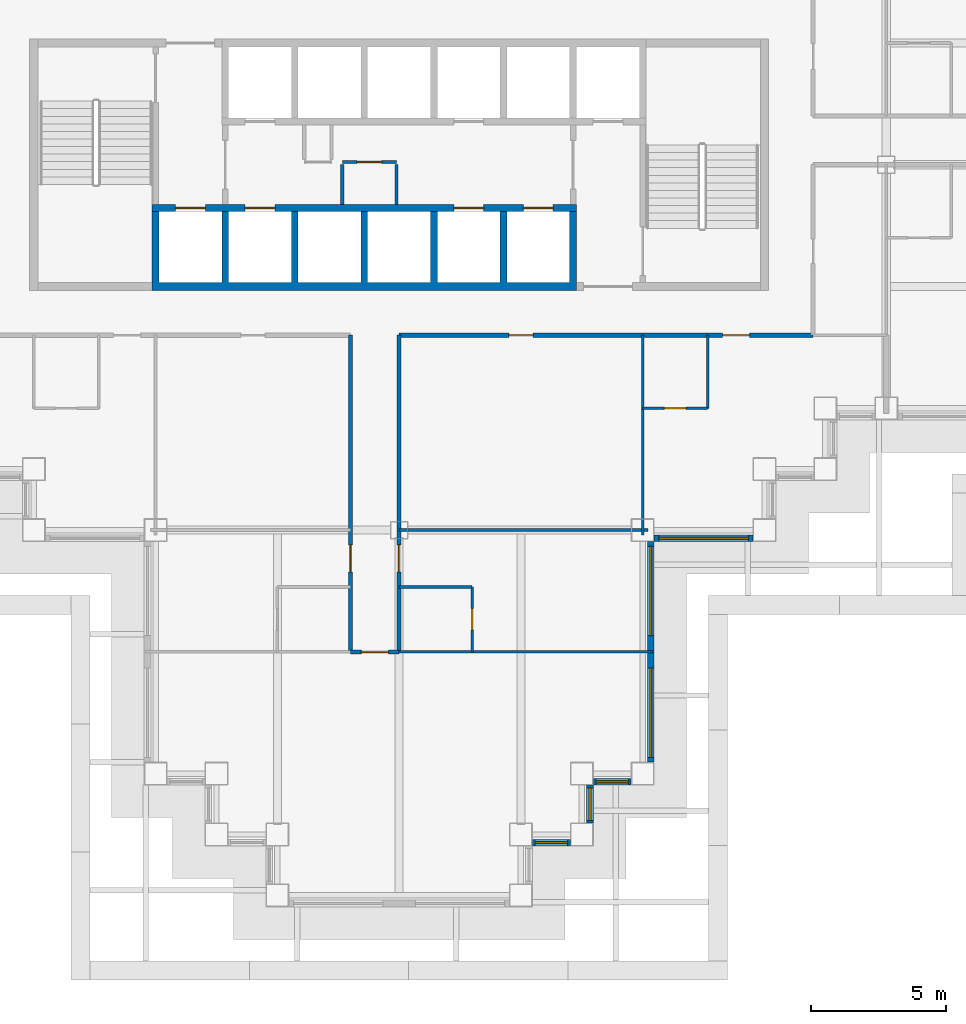
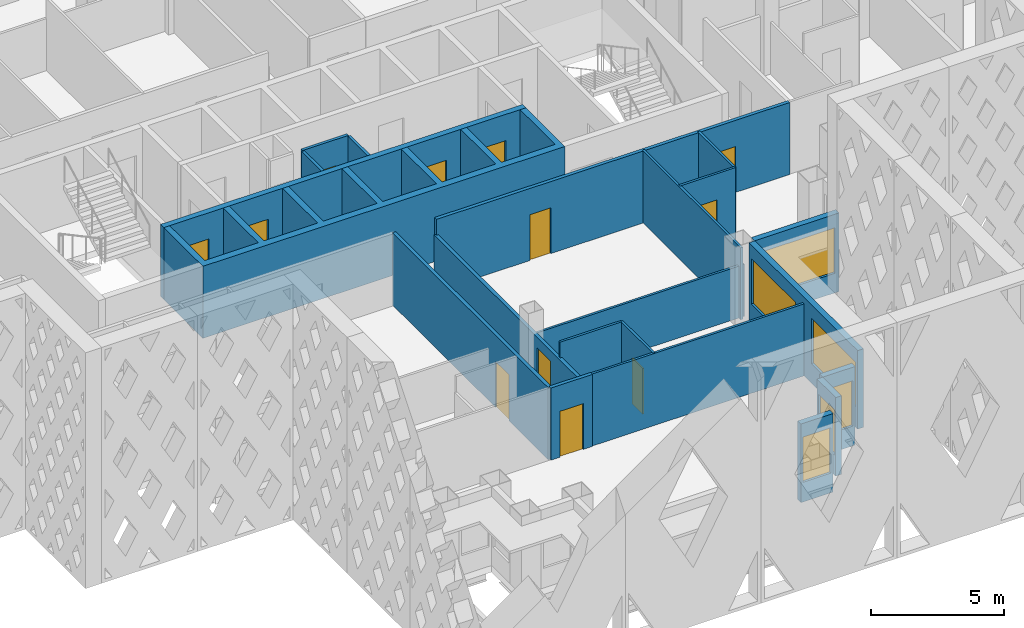
# One storey, part 6 of 21: 21 walls, 12 doors, 6 windows, 18 openings.
"""IFC4 building model written with IfcOpenShell, lengths in metres."""

from ifc_helpers import new_model, si_unit, direction, frame, frame_2d, origin, place, context, subcontext, project, spatial, polyline, rectangle, outline, extrude, material, layer, layer_set, type_object, element, fill, save


model = new_model("IFC4")

# Units and contexts
model_context = context("Model", 3, precision=1e-05, world=origin(), true_north=direction((0.0, 1.0)))
body_context = subcontext(model_context, "Body", "Model", "MODEL_VIEW")
ifc_project = project(units=[si_unit("LENGTHUNIT", "METRE"), si_unit("AREAUNIT", "SQUARE_METRE"), si_unit("VOLUMEUNIT", "CUBIC_METRE"), si_unit("PLANEANGLEUNIT", "RADIAN"), si_unit("MASSUNIT", "GRAM", prefix="KILO")], contexts=[model_context])

# Site, building, storey
site_placement = place(None, origin())
site = spatial("IfcSite", under=ifc_project, at=site_placement, CompositionType="ELEMENT")
building_placement = place(site_placement, origin())
building = spatial("IfcBuilding", under=site, at=building_placement, Name="Caravel Reach Hotel and Residences", CompositionType="ELEMENT")
storey_placement = place(building_placement, frame((0.0, 0.0, 129.60009765625)))
storey = spatial("IfcBuildingStorey", under=building, at=storey_placement, Name="L32", CompositionType="ELEMENT", Elevation=129.60009765625)

# Wall
ifc_material_1 = material(Name="Gypsum board on steel stud", Category="steel")
ifc_layer_1 = layer(ifc_material_1, 0.10009765625)
ifc_layer_set_1 = layer_set([ifc_layer_1], Name="Bathroom pod wall 100 mm")
wall_type_1 = type_object("IfcWallType", Name="Bathroom pod wall 100 mm", PredefinedType="PARTITIONING", material=ifc_layer_set_1)
wall_1_placement = place(storey_placement, frame((31.5, 11.39990234375, 0.0), z_axis=(0.0, 0.0, 1.0), x_axis=(1.0, 0.0, 0.0)))
element("IfcWall", 1, at=wall_1_placement, inside=storey, type_object=wall_type_1, Name="L32 wall w067", PredefinedType="PARTITIONING", context=body_context, shape_type="SweptSolid", body=[
    extrude(rectangle(XDim=2.699951171875, YDim=0.10009765625, at=frame_2d((1.35009765625, 0.0))), origin(), (0.0, 0.0, 1.0), 3.2998046875),
])

# Wall, opening, door
wall_2_placement = place(storey_placement, frame((40.5, 18.0, 0.0), z_axis=(0.0, 0.0, 1.0), x_axis=(1.0, 0.0, 0.0)))
wall_2 = element("IfcWall", 2, at=wall_2_placement, inside=storey, type_object=wall_type_1, Name="L32 wall w070", PredefinedType="PARTITIONING", context=body_context, shape_type="SweptSolid", body=[
    extrude(rectangle(XDim=2.39990234375, YDim=0.10009765625, at=frame_2d((1.199951171875, 0.0))), origin(), (0.0, 0.0, 1.0), 3.2998046875),
])
opening_1_placement = place(wall_2_placement, frame((0.800048828125, 0.0, 0.0)))
opening_1 = element("IfcOpeningElement", 3, at=opening_1_placement, cuts=wall_2, Name="Opening D32-049", PredefinedType="OPENING", context=body_context, shape_type="SweptSolid", body=[
    extrude(rectangle(XDim=0.800048828125, YDim=2.10009765625, at=frame_2d((0.39990234375, 1.050048828125))), frame((0.0, 0.06005859375, 0.0), z_axis=(0.0, -1.0, 0.0), x_axis=(1.0, 0.0, 0.0)), (0.0, 0.0, 1.0), 0.1201171875),
])
ifc_material_2 = material(Name="Timber and steel door leaf", Category="steel")
door_type_1 = type_object("IfcDoorType", Name="Bathroom door 800 x 2100", OperationType="SINGLE_SWING_LEFT", PredefinedType="DOOR", material=ifc_material_2)
door_1_placement = place(opening_1_placement, origin())
door_1 = element("IfcDoor", 4, at=door_1_placement, inside=storey, type_object=door_type_1, Name="door D32-049", OperationType="SINGLE_SWING_LEFT", OverallHeight=2.10009765625, OverallWidth=0.800048828125, PredefinedType="DOOR", context=body_context, shape_type="SweptSolid", body=[
    extrude(rectangle(XDim=0.800048828125, YDim=2.10009765625, at=frame_2d((0.39990234375, 1.050048828125))), frame((0.0, 0.02490234375, 0.0), z_axis=(0.0, -1.0, 0.0), x_axis=(1.0, 0.0, 0.0)), (0.0, 0.0, 1.0), 0.050048828125),
])
fill(opening_1, door_1)

wall_3_placement = place(storey_placement, frame((34.199951171875, 9.0, 0.0), z_axis=(0.0, 0.0, 1.0), x_axis=(0.0, 1.0, 0.0)))
wall_3 = element("IfcWall", 5, at=wall_3_placement, inside=storey, type_object=wall_type_1, Name="L32 wall w088", PredefinedType="PARTITIONING", context=body_context, shape_type="SweptSolid", body=[
    extrude(rectangle(XDim=2.39990234375, YDim=0.10009765625, at=frame_2d((1.199951171875, 0.0))), origin(), (0.0, 0.0, 1.0), 3.2998046875),
])
opening_2_placement = place(wall_3_placement, frame((0.800048828125, 0.0, 0.0)))
opening_2 = element("IfcOpeningElement", 6, at=opening_2_placement, cuts=wall_3, Name="Opening D32-035", PredefinedType="OPENING", context=body_context, shape_type="SweptSolid", body=[
    extrude(rectangle(XDim=0.800048828125, YDim=2.10009765625, at=frame_2d((0.39990234375, 1.050048828125))), frame((0.0, 0.06005859375, 0.0), z_axis=(0.0, -1.0, 0.0), x_axis=(1.0, 0.0, 0.0)), (0.0, 0.0, 1.0), 0.1201171875),
])
door_2_placement = place(opening_2_placement, origin())
door_2 = element("IfcDoor", 7, at=door_2_placement, inside=storey, type_object=door_type_1, Name="door D32-035", OperationType="SINGLE_SWING_LEFT", OverallHeight=2.10009765625, OverallWidth=0.800048828125, PredefinedType="DOOR", context=body_context, shape_type="SweptSolid", body=[
    extrude(rectangle(XDim=0.800048828125, YDim=2.10009765625, at=frame_2d((0.39990234375, 1.050048828125))), frame((0.0, 0.02490234375, 0.0), z_axis=(0.0, -1.0, 0.0), x_axis=(1.0, 0.0, 0.0)), (0.0, 0.0, 1.0), 0.050048828125),
])
fill(opening_2, door_2)

# Wall
wall_4_placement = place(storey_placement, frame((42.89990234375, 18.0, 0.0), z_axis=(0.0, 0.0, 1.0), x_axis=(0.0, 1.0, 0.0)))
element("IfcWall", 8, at=wall_4_placement, inside=storey, type_object=wall_type_1, Name="L32 wall w091", PredefinedType="PARTITIONING", context=body_context, shape_type="SweptSolid", body=[
    extrude(rectangle(XDim=2.699951171875, YDim=0.10009765625, at=frame_2d((1.35009765625, 0.0))), origin(), (0.0, 0.0, 1.0), 3.2998046875),
])

# Wall, openings, doors
ifc_material_3 = material(Name="Gypsum board on steel stud, fire-rated", Category="steel")
ifc_layer_2 = layer(ifc_material_3, 0.14990234375)
ifc_layer_set_2 = layer_set([ifc_layer_2], Name="Corridor wall 150 mm EI 60")
wall_type_2 = type_object("IfcWallType", Name="Corridor wall 150 mm EI 60", PredefinedType="PARTITIONING", material=ifc_layer_set_2)
wall_5_placement = place(storey_placement, frame((31.5, 20.699951171875, 0.0), z_axis=(0.0, 0.0, 1.0), x_axis=(1.0, 0.0, 0.0)))
wall_5 = element("IfcWall", 9, at=wall_5_placement, inside=storey, type_object=wall_type_2, Name="L32 wall w004", PredefinedType="PARTITIONING", context=body_context, shape_type="SweptSolid", body=[
    extrude(rectangle(XDim=15.300048828125, YDim=0.14990234375, at=frame_2d((7.64990234375, 0.0))), origin(), (0.0, 0.0, 1.0), 3.2998046875),
])
opening_3_placement = place(wall_5_placement, frame((11.949951171875, 0.0, 0.0)))
opening_3 = element("IfcOpeningElement", 10, at=opening_3_placement, cuts=wall_5, Name="Opening D32-048", PredefinedType="OPENING", context=body_context, shape_type="SweptSolid", body=[
    extrude(rectangle(XDim=1.0, YDim=2.10009765625, at=frame_2d((0.5, 1.050048828125))), frame((0.0, 0.0849609375, 0.0), z_axis=(0.0, -1.0, 0.0), x_axis=(1.0, 0.0, 0.0)), (0.0, 0.0, 1.0), 0.169921875),
])
opening_4_placement = place(wall_5_placement, frame((4.050048828125, 0.0, 0.0)))
opening_4 = element("IfcOpeningElement", 11, at=opening_4_placement, cuts=wall_5, Name="Opening D32-055", PredefinedType="OPENING", context=body_context, shape_type="SweptSolid", body=[
    extrude(rectangle(XDim=0.89990234375, YDim=2.10009765625, at=frame_2d((0.449951171875, 1.050048828125))), frame((0.0, 0.0849609375, 0.0), z_axis=(0.0, -1.0, 0.0), x_axis=(1.0, 0.0, 0.0)), (0.0, 0.0, 1.0), 0.169921875),
])
ifc_material_4 = material(Name="Timber and steel door leaf", Category="steel")
door_type_2 = type_object("IfcDoorType", Name="Door 900 x 2100 timber", OperationType="SINGLE_SWING_LEFT", PredefinedType="DOOR", material=ifc_material_4)
door_3_placement = place(opening_4_placement, origin())
door_3 = element("IfcDoor", 12, at=door_3_placement, inside=storey, type_object=door_type_2, Name="door D32-055", OperationType="SINGLE_SWING_LEFT", OverallHeight=2.10009765625, OverallWidth=0.89990234375, PredefinedType="DOOR", context=body_context, shape_type="SweptSolid", body=[
    extrude(rectangle(XDim=0.89990234375, YDim=2.10009765625, at=frame_2d((0.449951171875, 1.050048828125))), frame((0.0, 0.02490234375, 0.0), z_axis=(0.0, -1.0, 0.0), x_axis=(1.0, 0.0, 0.0)), (0.0, 0.0, 1.0), 0.050048828125),
])
fill(opening_4, door_3)
ifc_material_5 = material(Name="Steel fire door leaf", Category="steel")
door_type_3 = type_object("IfcDoorType", Name="Guest room door 1000 x 2100 EI 30", OperationType="SINGLE_SWING_LEFT", PredefinedType="DOOR", material=ifc_material_5)
door_4_placement = place(opening_3_placement, origin())
door_4 = element("IfcDoor", 13, at=door_4_placement, inside=storey, type_object=door_type_3, Name="door D32-048", OperationType="SINGLE_SWING_RIGHT", OverallHeight=2.10009765625, OverallWidth=1.0, PredefinedType="DOOR", context=body_context, shape_type="SweptSolid", body=[
    extrude(rectangle(XDim=1.0, YDim=2.10009765625, at=frame_2d((0.5, 1.050048828125))), frame((0.0, 0.02490234375, 0.0), z_axis=(0.0, -1.0, 0.0), x_axis=(1.0, 0.0, 0.0)), (0.0, 0.0, 1.0), 0.050048828125),
])
fill(opening_3, door_4)

# Wall, opening, door
wall_6_placement = place(storey_placement, frame((29.699951171875, 9.0, 0.0), z_axis=(0.0, 0.0, 1.0), x_axis=(1.0, 0.0, 0.0)))
wall_6 = element("IfcWall", 14, at=wall_6_placement, inside=storey, type_object=wall_type_2, Name="L32 wall w022", PredefinedType="PARTITIONING", context=body_context, shape_type="SweptSolid", body=[
    extrude(rectangle(XDim=1.800048828125, YDim=0.14990234375, at=frame_2d((0.89990234375, 0.0))), origin(), (0.0, 0.0, 1.0), 3.2998046875),
])
opening_5_placement = place(wall_6_placement, frame((0.39990234375, 0.0, 0.0)))
opening_5 = element("IfcOpeningElement", 15, at=opening_5_placement, cuts=wall_6, Name="Opening D32-039", PredefinedType="OPENING", context=body_context, shape_type="SweptSolid", body=[
    extrude(rectangle(XDim=1.0, YDim=2.10009765625, at=frame_2d((0.5, 1.050048828125))), frame((0.0, 0.0849609375, 0.0), z_axis=(0.0, -1.0, 0.0), x_axis=(1.0, 0.0, 0.0)), (0.0, 0.0, 1.0), 0.169921875),
])
door_5_placement = place(opening_5_placement, origin())
door_5 = element("IfcDoor", 16, at=door_5_placement, inside=storey, type_object=door_type_3, Name="door D32-039", OperationType="SINGLE_SWING_RIGHT", OverallHeight=2.10009765625, OverallWidth=1.0, PredefinedType="DOOR", context=body_context, shape_type="SweptSolid", body=[
    extrude(rectangle(XDim=1.0, YDim=2.10009765625, at=frame_2d((0.5, 1.050048828125))), frame((0.0, 0.02490234375, 0.0), z_axis=(0.0, -1.0, 0.0), x_axis=(1.0, 0.0, 0.0)), (0.0, 0.0, 1.0), 0.050048828125),
])
fill(opening_5, door_5)

wall_7_placement = place(storey_placement, frame((29.699951171875, 9.0, 0.0), z_axis=(0.0, 0.0, 1.0), x_axis=(0.0, 1.0, 0.0)))
wall_7 = element("IfcWall", 17, at=wall_7_placement, inside=storey, type_object=wall_type_2, Name="L32 wall w025", PredefinedType="PARTITIONING", context=body_context, shape_type="SweptSolid", body=[
    extrude(rectangle(XDim=11.699951171875, YDim=0.14990234375, at=frame_2d((5.85009765625, 0.0))), origin(), (0.0, 0.0, 1.0), 3.2998046875),
])
opening_6_placement = place(wall_7_placement, frame((2.949951171875, 0.0, 0.0)))
opening_6 = element("IfcOpeningElement", 18, at=opening_6_placement, cuts=wall_7, Name="Opening D32-032", PredefinedType="OPENING", context=body_context, shape_type="SweptSolid", body=[
    extrude(rectangle(XDim=1.0, YDim=2.10009765625, at=frame_2d((0.5, 1.050048828125))), frame((0.0, 0.0849609375, 0.0), z_axis=(0.0, -1.0, 0.0), x_axis=(1.0, 0.0, 0.0)), (0.0, 0.0, 1.0), 0.169921875),
])
door_6_placement = place(opening_6_placement, origin())
door_6 = element("IfcDoor", 19, at=door_6_placement, inside=storey, type_object=door_type_3, Name="door D32-032", OperationType="SINGLE_SWING_RIGHT", OverallHeight=2.10009765625, OverallWidth=1.0, PredefinedType="DOOR", context=body_context, shape_type="SweptSolid", body=[
    extrude(rectangle(XDim=1.0, YDim=2.10009765625, at=frame_2d((0.5, 1.050048828125))), frame((0.0, 0.02490234375, 0.0), z_axis=(0.0, -1.0, 0.0), x_axis=(1.0, 0.0, 0.0)), (0.0, 0.0, 1.0), 0.050048828125),
])
fill(opening_6, door_6)

wall_8_placement = place(storey_placement, frame((31.5, 9.0, 0.0), z_axis=(0.0, 0.0, 1.0), x_axis=(0.0, 1.0, 0.0)))
wall_8 = element("IfcWall", 20, at=wall_8_placement, inside=storey, type_object=wall_type_2, Name="L32 wall w028", PredefinedType="PARTITIONING", context=body_context, shape_type="SweptSolid", body=[
    extrude(rectangle(XDim=11.699951171875, YDim=0.14990234375, at=frame_2d((5.85009765625, 0.0))), origin(), (0.0, 0.0, 1.0), 2.579833984375),
])
opening_7_placement = place(wall_8_placement, frame((2.949951171875, 0.0, 0.0)))
opening_7 = element("IfcOpeningElement", 21, at=opening_7_placement, cuts=wall_8, Name="Opening D32-034", PredefinedType="OPENING", context=body_context, shape_type="SweptSolid", body=[
    extrude(rectangle(XDim=1.0, YDim=2.10009765625, at=frame_2d((0.5, 1.050048828125))), frame((0.0, 0.0849609375, 0.0), z_axis=(0.0, -1.0, 0.0), x_axis=(1.0, 0.0, 0.0)), (0.0, 0.0, 1.0), 0.169921875),
])
door_7_placement = place(opening_7_placement, origin())
door_7 = element("IfcDoor", 22, at=door_7_placement, inside=storey, type_object=door_type_3, Name="door D32-034", OperationType="SINGLE_SWING_RIGHT", OverallHeight=2.10009765625, OverallWidth=1.0, PredefinedType="DOOR", context=body_context, shape_type="SweptSolid", body=[
    extrude(rectangle(XDim=1.0, YDim=2.10009765625, at=frame_2d((0.5, 1.050048828125))), frame((0.0, 0.02490234375, 0.0), z_axis=(0.0, -1.0, 0.0), x_axis=(1.0, 0.0, 0.0)), (0.0, 0.0, 1.0), 0.050048828125),
])
fill(opening_7, door_7)

# Wall, opening, window
ifc_material_6 = material(Name="Insulated rainscreen wall, aluminium cladding", Category="aluminium")
ifc_layer_3 = layer(ifc_material_6, 0.25)
ifc_layer_set_3 = layer_set([ifc_layer_3], Name="EW1 Tower rainscreen wall")
wall_type_3 = type_object("IfcWallType", Name="EW1 Tower rainscreen wall", PredefinedType="SOLIDWALL", material=ifc_layer_set_3)
wall_9_placement = place(storey_placement, frame((36.425048828125, 1.949951171875, 0.0), z_axis=(0.0, 0.0, 1.0), x_axis=(1.0, 0.0, 0.0)))
wall_9 = element("IfcWall", 23, at=wall_9_placement, inside=storey, type_object=wall_type_3, Name="External wall L32 S7.1", PredefinedType="SOLIDWALL", context=body_context, shape_type="SweptSolid", body=[
    extrude(rectangle(XDim=1.39990234375, YDim=0.25, at=frame_2d((0.699951171875, 0.0))), origin(), (0.0, 0.0, 1.0), 3.599853515625),
])
opening_8_placement = place(wall_9_placement, frame((0.10009765625, 0.0, 0.89990234375)))
opening_8 = element("IfcOpeningElement", 24, at=opening_8_placement, cuts=wall_9, Name="Opening WN9", PredefinedType="OPENING", context=body_context, shape_type="SweptSolid", body=[
    extrude(rectangle(XDim=1.199951171875, YDim=2.080078125, at=frame_2d((0.60009765625, 1.0400390625))), frame((0.0, 0.135009765625, 0.0), z_axis=(0.0, -1.0, 0.0), x_axis=(1.0, 0.0, 0.0)), (0.0, 0.0, 1.0), 0.27001953125),
])
ifc_material_7 = material(Name="Dark low-e glazing in black aluminium frame", Category="aluminium")
window_type_1 = type_object("IfcWindowType", Name="Hotel suite corner window 1200 x 2080", PartitioningType="SINGLE_PANEL", PredefinedType="WINDOW", material=ifc_material_7)
window_1_placement = place(opening_8_placement, origin())
window_1 = element("IfcWindow", 25, at=window_1_placement, inside=storey, type_object=window_type_1, Name="Window L32 S7.1.1", OverallHeight=2.080078125, OverallWidth=1.199951171875, PartitioningType="SINGLE_PANEL", PredefinedType="WINDOW", context=body_context, shape_type="SweptSolid", body=[
    extrude(rectangle(XDim=1.199951171875, YDim=2.080078125, at=frame_2d((0.60009765625, 1.0400390625))), frame((0.0, 0.030029296875, 0.0), z_axis=(0.0, -1.0, 0.0), x_axis=(1.0, 0.0, 0.0)), (0.0, 0.0, 1.0), 0.06005859375),
])
fill(opening_8, window_1)

wall_10_placement = place(storey_placement, frame((38.550048828125, 2.675048828125, 0.0), z_axis=(0.0, 0.0, 1.0), x_axis=(0.0, 1.0, 0.0)))
wall_10 = element("IfcWall", 26, at=wall_10_placement, inside=storey, type_object=wall_type_3, Name="External wall L32 E8.1", PredefinedType="SOLIDWALL", context=body_context, shape_type="SweptSolid", body=[
    extrude(rectangle(XDim=1.39990234375, YDim=0.25, at=frame_2d((0.699951171875, 0.0))), origin(), (0.0, 0.0, 1.0), 3.599853515625),
])
opening_9_placement = place(wall_10_placement, frame((0.10009765625, 0.0, 0.89990234375)))
opening_9 = element("IfcOpeningElement", 27, at=opening_9_placement, cuts=wall_10, Name="Opening WN9", PredefinedType="OPENING", context=body_context, shape_type="SweptSolid", body=[
    extrude(rectangle(XDim=1.199951171875, YDim=2.080078125, at=frame_2d((0.60009765625, 1.0400390625))), frame((0.0, 0.135009765625, 0.0), z_axis=(0.0, -1.0, 0.0), x_axis=(1.0, 0.0, 0.0)), (0.0, 0.0, 1.0), 0.27001953125),
])
window_2_placement = place(opening_9_placement, origin())
window_2 = element("IfcWindow", 28, at=window_2_placement, inside=storey, type_object=window_type_1, Name="Window L32 E8.1.1", OverallHeight=2.080078125, OverallWidth=1.199951171875, PartitioningType="SINGLE_PANEL", PredefinedType="WINDOW", context=body_context, shape_type="SweptSolid", body=[
    extrude(rectangle(XDim=1.199951171875, YDim=2.080078125, at=frame_2d((0.60009765625, 1.0400390625))), frame((0.0, 0.030029296875, 0.0), z_axis=(0.0, -1.0, 0.0), x_axis=(1.0, 0.0, 0.0)), (0.0, 0.0, 1.0), 0.06005859375),
])
fill(opening_9, window_2)

wall_11_placement = place(storey_placement, frame((38.675048828125, 4.199951171875, 0.0), z_axis=(0.0, 0.0, 1.0), x_axis=(1.0, 0.0, 0.0)))
wall_11 = element("IfcWall", 29, at=wall_11_placement, inside=storey, type_object=wall_type_3, Name="External wall L32 S9.1", PredefinedType="SOLIDWALL", context=body_context, shape_type="SweptSolid", body=[
    extrude(rectangle(XDim=1.39990234375, YDim=0.25, at=frame_2d((0.699951171875, 0.0))), origin(), (0.0, 0.0, 1.0), 3.599853515625),
])
opening_10_placement = place(wall_11_placement, frame((0.10009765625, 0.0, 0.89990234375)))
opening_10 = element("IfcOpeningElement", 30, at=opening_10_placement, cuts=wall_11, Name="Opening WN9", PredefinedType="OPENING", context=body_context, shape_type="SweptSolid", body=[
    extrude(rectangle(XDim=1.199951171875, YDim=2.080078125, at=frame_2d((0.60009765625, 1.0400390625))), frame((0.0, 0.135009765625, 0.0), z_axis=(0.0, -1.0, 0.0), x_axis=(1.0, 0.0, 0.0)), (0.0, 0.0, 1.0), 0.27001953125),
])
window_3_placement = place(opening_10_placement, origin())
window_3 = element("IfcWindow", 31, at=window_3_placement, inside=storey, type_object=window_type_1, Name="Window L32 S9.1.1", OverallHeight=2.080078125, OverallWidth=1.199951171875, PartitioningType="SINGLE_PANEL", PredefinedType="WINDOW", context=body_context, shape_type="SweptSolid", body=[
    extrude(rectangle(XDim=1.199951171875, YDim=2.080078125, at=frame_2d((0.60009765625, 1.0400390625))), frame((0.0, 0.030029296875, 0.0), z_axis=(0.0, -1.0, 0.0), x_axis=(1.0, 0.0, 0.0)), (0.0, 0.0, 1.0), 0.06005859375),
])
fill(opening_10, window_3)

# Wall, openings, windows
wall_12_placement = place(storey_placement, frame((40.800048828125, 4.925048828125, 0.0), z_axis=(0.0, 0.0, 1.0), x_axis=(0.0, 1.0, 0.0)))
wall_12 = element("IfcWall", 32, at=wall_12_placement, inside=storey, type_object=wall_type_3, Name="External wall L32 E10.1", PredefinedType="SOLIDWALL", context=body_context, shape_type="SweptSolid", body=[
    extrude(rectangle(XDim=8.14990234375, YDim=0.25, at=frame_2d((4.074951171875, 0.0))), origin(), (0.0, 0.0, 1.0), 3.599853515625),
])
opening_11_placement = place(wall_12_placement, frame((0.175048828125, 0.0, 0.89990234375)))
opening_11 = element("IfcOpeningElement", 33, at=opening_11_placement, cuts=wall_12, Name="Opening WN4", PredefinedType="OPENING", context=body_context, shape_type="SweptSolid", body=[
    extrude(rectangle(XDim=3.300048828125, YDim=2.080078125, at=frame_2d((1.64990234375, 1.0400390625))), frame((0.0, 0.135009765625, 0.0), z_axis=(0.0, -1.0, 0.0), x_axis=(1.0, 0.0, 0.0)), (0.0, 0.0, 1.0), 0.27001953125),
])
opening_12_placement = place(wall_12_placement, frame((4.675048828125, 0.0, 0.89990234375)))
opening_12 = element("IfcOpeningElement", 34, at=opening_12_placement, cuts=wall_12, Name="Opening WN4", PredefinedType="OPENING", context=body_context, shape_type="SweptSolid", body=[
    extrude(rectangle(XDim=3.300048828125, YDim=2.080078125, at=frame_2d((1.64990234375, 1.0400390625))), frame((0.0, 0.135009765625, 0.0), z_axis=(0.0, -1.0, 0.0), x_axis=(1.0, 0.0, 0.0)), (0.0, 0.0, 1.0), 0.27001953125),
])
ifc_material_8 = material(Name="Dark low-e glazing in black aluminium frame", Category="aluminium")
window_type_2 = type_object("IfcWindowType", Name="Hotel guest room window 3300 x 2080", PartitioningType="SINGLE_PANEL", PredefinedType="WINDOW", material=ifc_material_8)
window_4_placement = place(opening_11_placement, origin())
window_4 = element("IfcWindow", 35, at=window_4_placement, inside=storey, type_object=window_type_2, Name="Window L32 E10.1.1", OverallHeight=2.080078125, OverallWidth=3.300048828125, PartitioningType="SINGLE_PANEL", PredefinedType="WINDOW", context=body_context, shape_type="SweptSolid", body=[
    extrude(rectangle(XDim=3.300048828125, YDim=2.080078125, at=frame_2d((1.64990234375, 1.0400390625))), frame((0.0, 0.030029296875, 0.0), z_axis=(0.0, -1.0, 0.0), x_axis=(1.0, 0.0, 0.0)), (0.0, 0.0, 1.0), 0.06005859375),
])
fill(opening_11, window_4)
window_5_placement = place(opening_12_placement, origin())
window_5 = element("IfcWindow", 36, at=window_5_placement, inside=storey, type_object=window_type_2, Name="Window L32 E10.1.2", OverallHeight=2.080078125, OverallWidth=3.300048828125, PartitioningType="SINGLE_PANEL", PredefinedType="WINDOW", context=body_context, shape_type="SweptSolid", body=[
    extrude(rectangle(XDim=3.300048828125, YDim=2.080078125, at=frame_2d((1.64990234375, 1.0400390625))), frame((0.0, 0.030029296875, 0.0), z_axis=(0.0, -1.0, 0.0), x_axis=(1.0, 0.0, 0.0)), (0.0, 0.0, 1.0), 0.06005859375),
])
fill(opening_12, window_5)

# Wall, opening, window
wall_13_placement = place(storey_placement, frame((40.925048828125, 13.199951171875, 0.0), z_axis=(0.0, 0.0, 1.0), x_axis=(1.0, 0.0, 0.0)))
wall_13 = element("IfcWall", 37, at=wall_13_placement, inside=storey, type_object=wall_type_3, Name="External wall L32 S11.1", PredefinedType="SOLIDWALL", context=body_context, shape_type="SweptSolid", body=[
    extrude(rectangle(XDim=3.64990234375, YDim=0.25, at=frame_2d((1.824951171875, 0.0))), origin(), (0.0, 0.0, 1.0), 3.599853515625),
])
opening_13_placement = place(wall_13_placement, frame((0.175048828125, 0.0, 0.89990234375)))
opening_13 = element("IfcOpeningElement", 38, at=opening_13_placement, cuts=wall_13, Name="Opening WN4", PredefinedType="OPENING", context=body_context, shape_type="SweptSolid", body=[
    extrude(rectangle(XDim=3.300048828125, YDim=2.080078125, at=frame_2d((1.64990234375, 1.0400390625))), frame((0.0, 0.135009765625, 0.0), z_axis=(0.0, -1.0, 0.0), x_axis=(1.0, 0.0, 0.0)), (0.0, 0.0, 1.0), 0.27001953125),
])
window_6_placement = place(opening_13_placement, origin())
window_6 = element("IfcWindow", 39, at=window_6_placement, inside=storey, type_object=window_type_2, Name="Window L32 S11.1.1", OverallHeight=2.080078125, OverallWidth=3.300048828125, PartitioningType="SINGLE_PANEL", PredefinedType="WINDOW", context=body_context, shape_type="SweptSolid", body=[
    extrude(rectangle(XDim=3.300048828125, YDim=2.080078125, at=frame_2d((1.64990234375, 1.0400390625))), frame((0.0, 0.030029296875, 0.0), z_axis=(0.0, -1.0, 0.0), x_axis=(1.0, 0.0, 0.0)), (0.0, 0.0, 1.0), 0.06005859375),
])
fill(opening_13, window_6)

# Walls
ifc_material_9 = material(Name="Gypsum board on steel stud", Category="steel")
ifc_layer_4 = layer(ifc_material_9, 0.10009765625)
ifc_layer_set_4 = layer_set([ifc_layer_4], Name="Partition 100 mm")
wall_type_4 = type_object("IfcWallType", Name="Partition 100 mm", PredefinedType="PARTITIONING", material=ifc_layer_set_4)
wall_14_placement = place(storey_placement, frame((31.5, 13.5, 0.0), z_axis=(0.0, 0.0, 1.0), x_axis=(1.0, 0.0, 0.0)))
element("IfcWall", 40, at=wall_14_placement, inside=storey, type_object=wall_type_4, Name="L32 wall w037", PredefinedType="PARTITIONING", context=body_context, shape_type="SweptSolid", body=[
    extrude(rectangle(XDim=9.18994140625, YDim=0.10009765625, at=frame_2d((4.594970703125, 0.0))), origin(), (0.0, 0.0, 1.0), 2.3798828125),
])
wall_15_placement = place(storey_placement, frame((31.5, 9.0, 0.0), z_axis=(0.0, 0.0, 1.0), x_axis=(1.0, 0.0, 0.0)))
element("IfcWall", 41, at=wall_15_placement, inside=storey, type_object=wall_type_4, Name="L32 wall w047", PredefinedType="PARTITIONING", context=body_context, shape_type="SweptSolid", body=[
    extrude(rectangle(XDim=9.364990234375, YDim=0.10009765625, at=frame_2d((4.6826171875, 0.0))), origin(), (0.0, 0.0, 1.0), 3.2998046875),
])
wall_16_placement = place(storey_placement, frame((40.5, 13.31005859375, 0.0), z_axis=(0.0, 0.0, 1.0), x_axis=(0.0, 1.0, 0.0)))
element("IfcWall", 42, at=wall_16_placement, inside=storey, type_object=wall_type_4, Name="L32 wall w054", PredefinedType="PARTITIONING", context=body_context, shape_type="SweptSolid", body=[
    extrude(rectangle(XDim=7.389892578125, YDim=0.10009765625, at=frame_2d((3.69482421875, 0.0))), origin(), (0.0, 0.0, 1.0), 3.2998046875),
])

# Wall, opening, door
ifc_material_10 = material(Name="Autoclaved aerated block wall")
ifc_layer_5 = layer(ifc_material_10, 0.125)
ifc_layer_set_5 = layer_set([ifc_layer_5], Name="Riser wall 125 mm EI 60")
wall_type_5 = type_object("IfcWallType", Name="Riser wall 125 mm EI 60", PredefinedType="PARTITIONING", material=ifc_layer_set_5)
wall_17_placement = place(storey_placement, frame((29.39990234375, 27.10009765625, 0.0), z_axis=(0.0, 0.0, 1.0), x_axis=(1.0, 0.0, 0.0)))
wall_17 = element("IfcWall", 43, at=wall_17_placement, inside=storey, type_object=wall_type_5, Name="L32 service room wall S1", PredefinedType="PARTITIONING", context=body_context, shape_type="SweptSolid", body=[
    extrude(rectangle(XDim=2.0, YDim=0.125, at=frame_2d((1.0, 0.0))), origin(), (0.0, 0.0, 1.0), 3.2998046875),
])
opening_14_placement = place(wall_17_placement, frame((0.550048828125, 0.0, 0.0)))
opening_14 = element("IfcOpeningElement", 44, at=opening_14_placement, cuts=wall_17, Name="Opening D32-008", PredefinedType="OPENING", context=body_context, shape_type="SweptSolid", body=[
    extrude(rectangle(XDim=0.89990234375, YDim=2.10009765625, at=frame_2d((0.449951171875, 1.050048828125))), frame((0.0, 0.072509765625, 0.0), z_axis=(0.0, -1.0, 0.0), x_axis=(1.0, 0.0, 0.0)), (0.0, 0.0, 1.0), 0.14501953125),
])
ifc_material_11 = material(Name="Steel fire door leaf", Category="steel")
door_type_4 = type_object("IfcDoorType", Name="Riser door 900 x 2100 EI 60", OperationType="SINGLE_SWING_LEFT", PredefinedType="DOOR", material=ifc_material_11)
door_8_placement = place(opening_14_placement, origin())
door_8 = element("IfcDoor", 45, at=door_8_placement, inside=storey, type_object=door_type_4, Name="Spa linen store door", OperationType="SINGLE_SWING_LEFT", OverallHeight=2.10009765625, OverallWidth=0.89990234375, PredefinedType="DOOR", context=body_context, shape_type="SweptSolid", body=[
    extrude(rectangle(XDim=0.89990234375, YDim=2.10009765625, at=frame_2d((0.449951171875, 1.050048828125))), frame((0.0, 0.02490234375, 0.0), z_axis=(0.0, -1.0, 0.0), x_axis=(1.0, 0.0, 0.0)), (0.0, 0.0, 1.0), 0.050048828125),
])
fill(opening_14, door_8)

# Walls
for number, where, z_axis, x_axis, name in (
    (46, (29.39990234375, 25.52490234375, 0.0), (0.0, 0.0, 1.0), (0.0, 1.0, 0.0), "L32 service room partition S1"),
    (47, (31.39990234375, 25.52490234375, 0.0), (0.0, 0.0, 1.0), (0.0, 1.0, 0.0), "L32 service room partition S1"),
):
    element("IfcWall", number, at=place(storey_placement, frame(where, z_axis=z_axis, x_axis=x_axis)), inside=storey, type_object=wall_type_5, Name=name, PredefinedType="PARTITIONING", context=body_context, shape_type="SweptSolid", body=[
        extrude(rectangle(XDim=1.47509765625, YDim=0.125, at=frame_2d((0.737548828125, 0.0))), origin(), (0.0, 0.0, 1.0), 3.2998046875),
    ])
ifc_material_12 = material(Name="Concrete C60", Category="concrete")
ifc_layer_6 = layer(ifc_material_12, 0.25)
ifc_layer_set_6 = layer_set([ifc_layer_6], Name="Shaft wall 250 mm EI 120")
wall_type_6 = type_object("IfcWallType", Name="Shaft wall 250 mm EI 120", PredefinedType="SHEAR", material=ifc_layer_set_6)
wall_18_placement = place(storey_placement, origin())
element("IfcWall", 48, at=wall_18_placement, inside=storey, type_object=wall_type_6, Name="L32 lift shaft wall S1", PredefinedType="SHEAR", context=body_context, shape_type="SweptSolid", body=[
    extrude(outline(polyline([(22.375, 22.35009765625), (38.053466796875, 22.35009765625), (38.053466796875, 25.27490234375), (37.803466796875, 25.27490234375), (37.803466796875, 22.64990234375), (35.482177734375, 22.64990234375), (35.482177734375, 25.27490234375), (35.232177734375, 25.27490234375), (35.232177734375, 22.64990234375), (32.91064453125, 22.64990234375), (32.91064453125, 25.27490234375), (32.66064453125, 25.27490234375), (32.66064453125, 22.64990234375), (30.33935546875, 22.64990234375), (30.33935546875, 25.27490234375), (30.08935546875, 25.27490234375), (30.08935546875, 22.64990234375), (27.767822265625, 22.64990234375), (27.767822265625, 25.27490234375), (27.517822265625, 25.27490234375), (27.517822265625, 22.64990234375), (25.196533203125, 22.64990234375), (25.196533203125, 25.27490234375), (24.946533203125, 25.27490234375), (24.946533203125, 22.64990234375), (22.625, 22.64990234375), (22.625, 25.27490234375), (22.375, 25.27490234375), (22.375, 22.35009765625)])), origin(), (0.0, 0.0, 1.0), 3.2998046875),
])

# Wall, openings, doors
wall_19_placement = place(storey_placement, frame((22.375, 25.39990234375, 0.0), z_axis=(0.0, 0.0, 1.0), x_axis=(1.0, 0.0, 0.0)))
wall_19 = element("IfcWall", 49, at=wall_19_placement, inside=storey, type_object=wall_type_6, Name="L32 lobby wall S1", PredefinedType="SHEAR", context=body_context, shape_type="SweptSolid", body=[
    extrude(rectangle(XDim=15.678466796875, YDim=0.25, at=frame_2d((7.83935546875, 0.0))), origin(), (0.0, 0.0, 1.0), 3.2998046875),
])
opening_15_placement = place(wall_19_placement, frame((3.43212890625, 0.0, 0.0)))
opening_15 = element("IfcOpeningElement", 50, at=opening_15_placement, cuts=wall_19, Name="Opening D32-001", PredefinedType="OPENING", context=body_context, shape_type="SweptSolid", body=[
    extrude(rectangle(XDim=1.10009765625, YDim=2.10009765625, at=frame_2d((0.550048828125, 1.050048828125))), frame((0.0, 0.135009765625, 0.0), z_axis=(0.0, -1.0, 0.0), x_axis=(1.0, 0.0, 0.0)), (0.0, 0.0, 1.0), 0.27001953125),
])
opening_16_placement = place(wall_19_placement, frame((11.146484375, 0.0, 0.0)))
opening_16 = element("IfcOpeningElement", 51, at=opening_16_placement, cuts=wall_19, Name="Opening D32-002", PredefinedType="OPENING", context=body_context, shape_type="SweptSolid", body=[
    extrude(rectangle(XDim=1.10009765625, YDim=2.10009765625, at=frame_2d((0.550048828125, 1.050048828125))), frame((0.0, 0.135009765625, 0.0), z_axis=(0.0, -1.0, 0.0), x_axis=(1.0, 0.0, 0.0)), (0.0, 0.0, 1.0), 0.27001953125),
])
opening_17_placement = place(wall_19_placement, frame((13.718017578125, 0.0, 0.0)))
opening_17 = element("IfcOpeningElement", 52, at=opening_17_placement, cuts=wall_19, Name="Opening D32-003", PredefinedType="OPENING", context=body_context, shape_type="SweptSolid", body=[
    extrude(rectangle(XDim=1.10009765625, YDim=2.10009765625, at=frame_2d((0.550048828125, 1.050048828125))), frame((0.0, 0.135009765625, 0.0), z_axis=(0.0, -1.0, 0.0), x_axis=(1.0, 0.0, 0.0)), (0.0, 0.0, 1.0), 0.27001953125),
])
opening_18_placement = place(wall_19_placement, frame((0.860595703125, 0.0, 0.0)))
opening_18 = element("IfcOpeningElement", 53, at=opening_18_placement, cuts=wall_19, Name="Opening D32-006", PredefinedType="OPENING", context=body_context, shape_type="SweptSolid", body=[
    extrude(rectangle(XDim=1.10009765625, YDim=2.10009765625, at=frame_2d((0.550048828125, 1.050048828125))), frame((0.0, 0.135009765625, 0.0), z_axis=(0.0, -1.0, 0.0), x_axis=(1.0, 0.0, 0.0)), (0.0, 0.0, 1.0), 0.27001953125),
])
ifc_material_13 = material(Name="Stainless steel landing door", Category="steel")
door_type_5 = type_object("IfcDoorType", Name="Landing door LD 1100 x 2100 sliding", OperationType="DOUBLE_DOOR_SLIDING", PredefinedType="DOOR", material=ifc_material_13)
door_9_placement = place(opening_15_placement, origin())
door_9 = element("IfcDoor", 54, at=door_9_placement, inside=storey, type_object=door_type_5, Name="LP1 landing door", OperationType="DOUBLE_DOOR_SLIDING", OverallHeight=2.10009765625, OverallWidth=1.10009765625, PredefinedType="DOOR", context=body_context, shape_type="SweptSolid", body=[
    extrude(rectangle(XDim=1.10009765625, YDim=2.10009765625, at=frame_2d((0.550048828125, 1.050048828125))), frame((0.0, 0.02490234375, 0.0), z_axis=(0.0, -1.0, 0.0), x_axis=(1.0, 0.0, 0.0)), (0.0, 0.0, 1.0), 0.050048828125),
])
fill(opening_15, door_9)
door_10_placement = place(opening_16_placement, origin())
door_10 = element("IfcDoor", 55, at=door_10_placement, inside=storey, type_object=door_type_5, Name="LP2 landing door", OperationType="DOUBLE_DOOR_SLIDING", OverallHeight=2.10009765625, OverallWidth=1.10009765625, PredefinedType="DOOR", context=body_context, shape_type="SweptSolid", body=[
    extrude(rectangle(XDim=1.10009765625, YDim=2.10009765625, at=frame_2d((0.550048828125, 1.050048828125))), frame((0.0, 0.02490234375, 0.0), z_axis=(0.0, -1.0, 0.0), x_axis=(1.0, 0.0, 0.0)), (0.0, 0.0, 1.0), 0.050048828125),
])
fill(opening_16, door_10)
door_11_placement = place(opening_17_placement, origin())
door_11 = element("IfcDoor", 56, at=door_11_placement, inside=storey, type_object=door_type_5, Name="LP3 landing door", OperationType="DOUBLE_DOOR_SLIDING", OverallHeight=2.10009765625, OverallWidth=1.10009765625, PredefinedType="DOOR", context=body_context, shape_type="SweptSolid", body=[
    extrude(rectangle(XDim=1.10009765625, YDim=2.10009765625, at=frame_2d((0.550048828125, 1.050048828125))), frame((0.0, 0.02490234375, 0.0), z_axis=(0.0, -1.0, 0.0), x_axis=(1.0, 0.0, 0.0)), (0.0, 0.0, 1.0), 0.050048828125),
])
fill(opening_17, door_11)
door_12_placement = place(opening_18_placement, origin())
door_12 = element("IfcDoor", 57, at=door_12_placement, inside=storey, type_object=door_type_5, Name="FL1 landing door", OperationType="DOUBLE_DOOR_SLIDING", OverallHeight=2.10009765625, OverallWidth=1.10009765625, PredefinedType="DOOR", context=body_context, shape_type="SweptSolid", body=[
    extrude(rectangle(XDim=1.10009765625, YDim=2.10009765625, at=frame_2d((0.550048828125, 1.050048828125))), frame((0.0, 0.02490234375, 0.0), z_axis=(0.0, -1.0, 0.0), x_axis=(1.0, 0.0, 0.0)), (0.0, 0.0, 1.0), 0.050048828125),
])
fill(opening_18, door_12)

save(model, "model.ifc")
